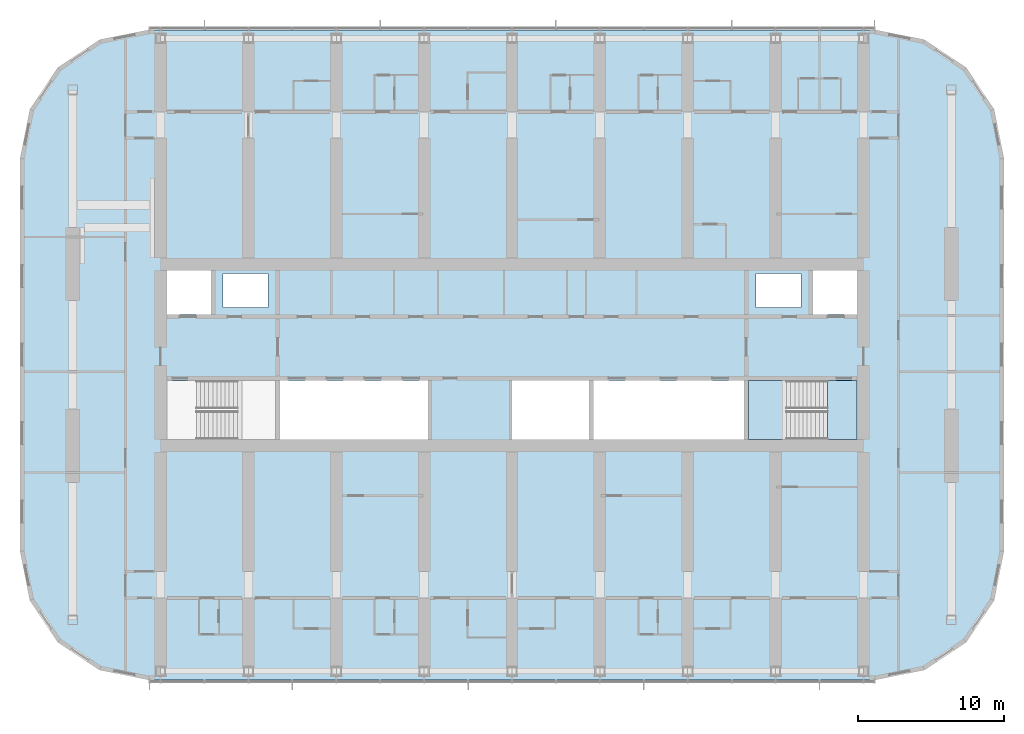
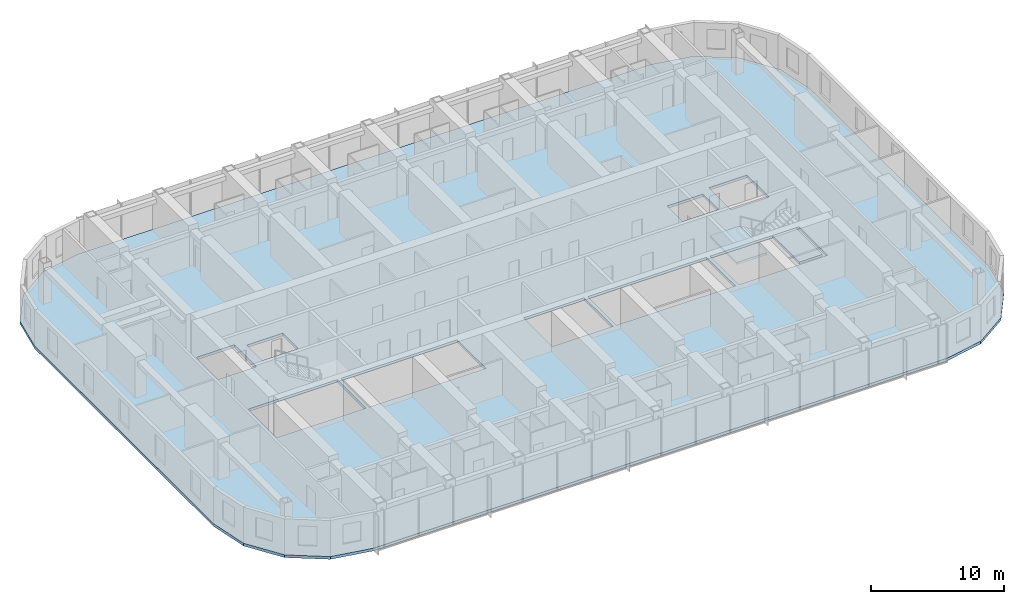
# One storey, part 8 of 22: 3 slabs, 1 element without a shape of its own.
"""IFC4 building model written with IfcOpenShell, lengths in metres."""

from ifc_helpers import new_model, si_unit, direction, frame, origin, place, context, subcontext, project, spatial, polyline, outline, extrude, material, layer, layer_set, type_object, element, aggregate, save


model = new_model("IFC4")

# Units and contexts
model_context = context("Model", 3, precision=1e-05, world=origin(), true_north=direction((0.0, 1.0)))
body_context = subcontext(model_context, "Body", "Model", "MODEL_VIEW")
ifc_project = project(units=[si_unit("LENGTHUNIT", "METRE"), si_unit("AREAUNIT", "SQUARE_METRE"), si_unit("VOLUMEUNIT", "CUBIC_METRE"), si_unit("PLANEANGLEUNIT", "RADIAN"), si_unit("MASSUNIT", "GRAM", prefix="KILO")], contexts=[model_context])

# Site, building, storey
site_placement = place(None, origin())
site = spatial("IfcSite", under=ifc_project, at=site_placement, CompositionType="ELEMENT")
building_placement = place(site_placement, origin())
building = spatial("IfcBuilding", under=site, at=building_placement, Name="Orbita Commons", CompositionType="ELEMENT")
storey_placement = place(building_placement, frame((0.0, 0.0, 159.85009765625)))
storey = spatial("IfcBuildingStorey", under=building, at=storey_placement, Name="L39", CompositionType="ELEMENT", Elevation=159.85009765625)

# Slab
ifc_material_1 = material(Name="Concrete C40/50", Category="concrete")
ifc_layer_1 = layer(ifc_material_1, 0.25)
ifc_layer_set_1 = layer_set([ifc_layer_1], Name="Concrete C40/50")
slab_type_1 = type_object("IfcSlabType", Name="Floor slab 250", PredefinedType="FLOOR", material=ifc_layer_set_1)
slab_1_placement = place(storey_placement, frame((0.0, 0.0, -0.25)))
element("IfcSlab", 1, at=slab_1_placement, inside=storey, type_object=slab_type_1, Name="Floor slab L39", PredefinedType="FLOOR", context=body_context, shape_type="SweptSolid", body=[
    extrude(outline(polyline([(66.800048828125, 9.800048828125), (70.167724609375, 10.469970703125), (73.0224609375, 12.37744140625), (74.93017578125, 15.232421875), (75.60009765625, 18.60009765625), (75.60009765625, 45.39990234375), (74.93017578125, 48.767578125), (73.0224609375, 51.62255859375), (70.167724609375, 53.530029296875), (66.800048828125, 54.199951171875), (17.199951171875, 54.199951171875), (13.832275390625, 53.530029296875), (10.9775390625, 51.62255859375), (9.06982421875, 48.767578125), (8.39990234375, 45.39990234375), (8.39990234375, 18.60009765625), (9.06982421875, 15.232421875), (10.9775390625, 12.37744140625), (13.832275390625, 10.469970703125), (17.199951171875, 9.800048828125), (66.800048828125, 9.800048828125)]), holes=[polyline([(18.14990234375, 25.949951171875), (25.85009765625, 25.949951171875), (25.85009765625, 30.25), (18.14990234375, 30.25), (18.14990234375, 25.949951171875)]), polyline([(58.14990234375, 25.949951171875), (65.85009765625, 25.949951171875), (65.85009765625, 30.25), (58.14990234375, 30.25), (58.14990234375, 25.949951171875)]), polyline([(18.14990234375, 34.75), (21.449951171875, 34.75), (21.449951171875, 38.050048828125), (18.14990234375, 38.050048828125), (18.14990234375, 34.75)]), polyline([(62.550048828125, 34.75), (65.85009765625, 34.75), (65.85009765625, 38.050048828125), (62.550048828125, 38.050048828125), (62.550048828125, 34.75)]), polyline([(22.25, 35.25), (25.35009765625, 35.25), (25.35009765625, 37.550048828125), (22.25, 37.550048828125), (22.25, 35.25)]), polyline([(58.64990234375, 35.25), (61.75, 35.25), (61.75, 37.550048828125), (58.64990234375, 37.550048828125), (58.64990234375, 35.25)]), polyline([(26.14990234375, 25.949951171875), (36.25, 25.949951171875), (36.25, 30.25), (26.14990234375, 30.25), (26.14990234375, 25.949951171875)]), polyline([(42.0, 25.949951171875), (47.25, 25.949951171875), (47.25, 30.25), (42.0, 30.25), (42.0, 25.949951171875)]), polyline([(47.550048828125, 25.949951171875), (57.85009765625, 25.949951171875), (57.85009765625, 30.25), (47.550048828125, 30.25), (47.550048828125, 25.949951171875)])]), origin(), (0.0, 0.0, 1.0), 0.25),
])

# Stair, slabs
ifc_material_2 = material(Name="Precast concrete C40/50", Category="concrete")
stair_type = type_object("IfcStairType", Name="Exit stair S2 2 flights 11 risers 170", PredefinedType="HALF_TURN_STAIR", material=ifc_material_2)
stair_placement = place(storey_placement, origin())
stair = element("IfcStair", 2, at=stair_placement, inside=storey, type_object=stair_type, Name="Exit stair S2 L39", PredefinedType="HALF_TURN_STAIR")
ifc_material_3 = material(Name="Concrete C40/50", Category="concrete")
ifc_layer_2 = layer(ifc_material_3, 0.199951171875)
ifc_layer_set_2 = layer_set([ifc_layer_2], Name="Concrete C40/50")
slab_type_2 = type_object("IfcSlabType", Name="Stair landing 200", PredefinedType="LANDING", material=ifc_layer_set_2)
slab_2_placement = place(storey_placement, frame((0.0, 0.0, -0.2001953125)))
slab_2 = element("IfcSlab", 3, at=slab_2_placement, type_object=slab_type_2, Name="S2 landing 1", PredefinedType="LANDING", context=body_context, shape_type="SweptSolid", body=[
    extrude(outline(polyline([(63.550048828125, 26.22509765625), (65.574951171875, 26.22509765625), (65.574951171875, 30.25), (63.550048828125, 30.25), (63.550048828125, 26.22509765625)])), origin(), (0.0, 0.0, 1.0), 0.2001953125),
])
slab_3_placement = place(storey_placement, frame((0.0, 0.0, 1.6748046875)))
slab_3 = element("IfcSlab", 4, at=slab_3_placement, type_object=slab_type_2, Name="S2 landing 2", PredefinedType="LANDING", context=body_context, shape_type="SweptSolid", body=[
    extrude(outline(polyline([(58.135009765625, 26.2099609375), (60.75, 26.2099609375), (60.75, 30.264892578125), (58.135009765625, 30.264892578125), (58.135009765625, 26.2099609375)])), origin(), (0.0, 0.0, 1.0), 0.2001953125),
])
aggregate(stair, [slab_2, slab_3])

save(model, "model.ifc")
